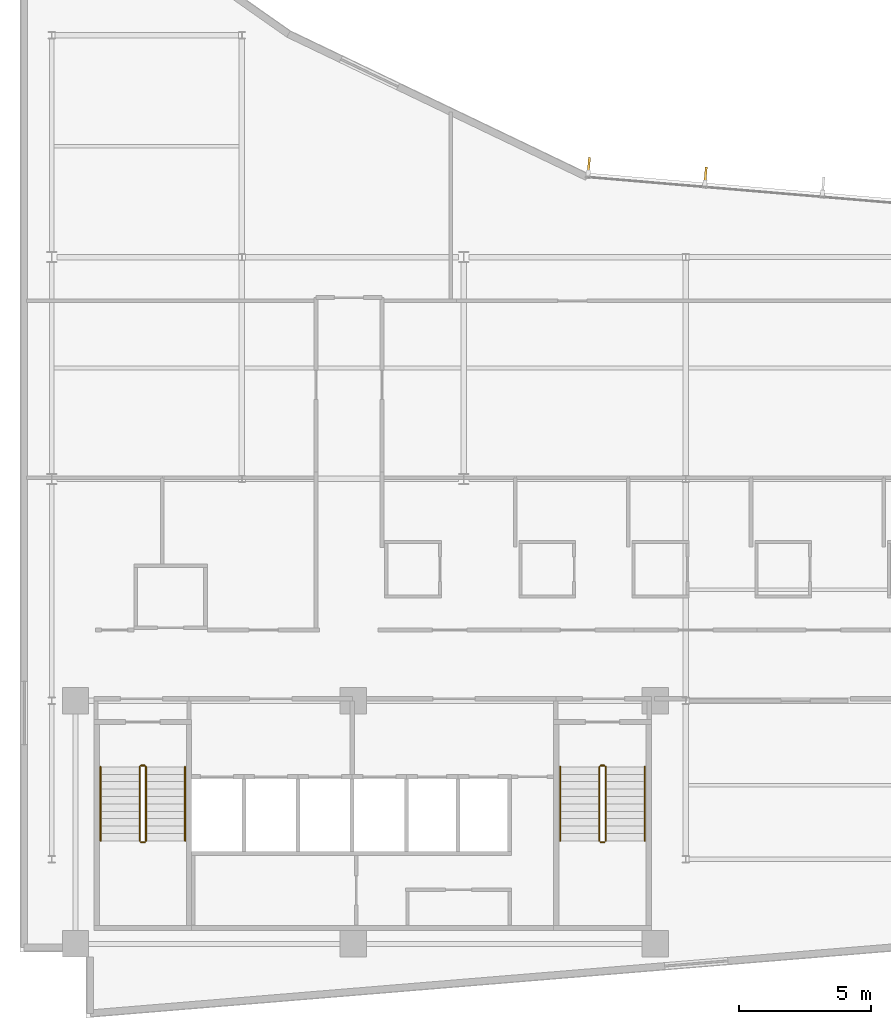
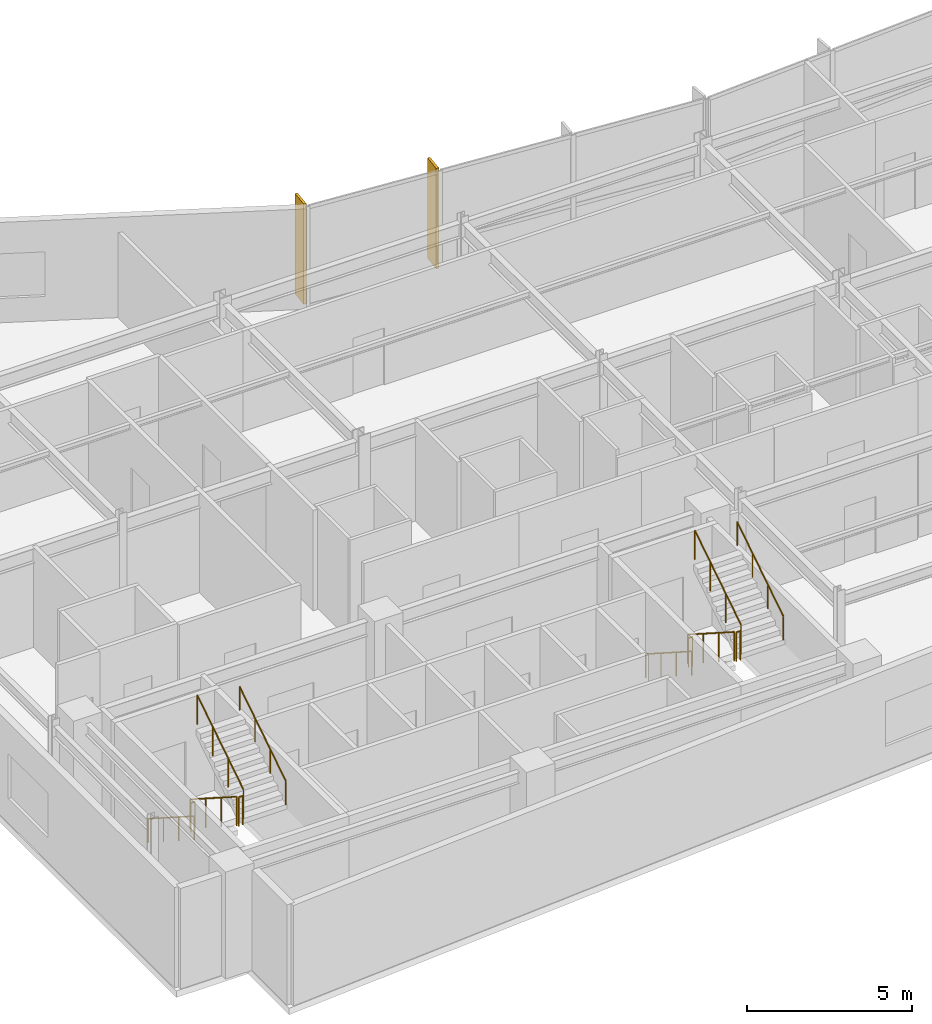
# One storey, part 13 of 15: 12 railings, 2 shading devices.
"""IFC4 building model written with IfcOpenShell, lengths in metres."""

import ifcopenshell
import ifcopenshell.guid

model = None  # the IFC model being written
_history = None  # IfcOwnerHistory: only IFC2X3 demands one
_inside = {}  # id of a spatial element -> (the spatial element, [elements in it])
_under = {}  # id of a project, library or spatial element -> (it, [spatial elements below it])
_declared = {}  # id of a project -> (the project, [libraries it declares])
_typed = {}  # id of a type object -> (the type object, [elements of that type])
_made_of = {}  # id of a material, layer set ... -> (it, [elements and type objects made of it])


def new_model(schema):
    """Start an empty IFC model of exactly this schema.

    Asked for "IFC4X3", IfcOpenShell would pick the latest addendum, in which some entities
    have other attributes; the version numbers below select the first issue.
    IFC2X3 requires an IfcOwnerHistory on every rooted entity: one is made here for all.
    """
    global model, _history
    if schema == "IFC4X3":
        model = ifcopenshell.file(schema_version=(4, 3, 0, 0))
    else:
        model = ifcopenshell.file(schema=schema)
    _inside.clear()
    _under.clear()
    _declared.clear()
    _typed.clear()
    _made_of.clear()
    _history = None
    if model.schema == "IFC2X3":
        org = make("IfcOrganization", Name="unknown")
        user = make(
            "IfcPersonAndOrganization",
            ThePerson=make("IfcPerson", FamilyName="unknown"),
            TheOrganization=org,
        )
        app = make(
            "IfcApplication",
            ApplicationDeveloper=org,
            Version="unknown",
            ApplicationFullName="unknown",
            ApplicationIdentifier="unknown",
        )
        _history = make(
            "IfcOwnerHistory",
            OwningUser=user,
            OwningApplication=app,
            ChangeAction="ADDED",
            CreationDate=0,
        )
    return model


def make(cls, **values):
    """One entity of the class cls with the attributes given. An attribute that is None is left unset."""
    return model.create_entity(
        cls, **{name: value for name, value in values.items() if value is not None}
    )


def rooted(cls, **values):
    """An entity with a GlobalId (a new one), such as an element, a storey or a relation."""
    return make(cls, GlobalId=ifcopenshell.guid.new(), OwnerHistory=_history, **values)


def si_unit(unit_type, name, prefix=None):
    """IfcSIUnit, for example si_unit("LENGTHUNIT", "METRE", prefix="MILLI")."""
    return make("IfcSIUnit", UnitType=unit_type, Prefix=prefix, Name=name)


def assignment(units):
    """IfcUnitAssignment: the units of a project."""
    return None if units is None else make("IfcUnitAssignment", Units=units)


def point(xyz):
    """IfcCartesianPoint."""
    return None if xyz is None else make("IfcCartesianPoint", Coordinates=xyz)


def direction(xyz):
    """IfcDirection."""
    return None if xyz is None else make("IfcDirection", DirectionRatios=xyz)


def frame(location, z_axis=None, x_axis=None):
    """IfcAxis2Placement3D, a coordinate frame: its origin and axes. An axis left out is left unset."""
    return make(
        "IfcAxis2Placement3D",
        Location=point(location),
        Axis=direction(z_axis),
        RefDirection=direction(x_axis),
    )


def frame_2d(location, x_axis=None):
    """IfcAxis2Placement2D, a coordinate frame in the plane: its origin and x axis."""
    return make(
        "IfcAxis2Placement2D", Location=point(location), RefDirection=direction(x_axis)
    )


def origin():
    """The frame at (0, 0, 0) with its axes left unset."""
    return frame((0.0, 0.0, 0.0))


def origin_2d():
    """The frame at (0, 0) in the plane with its x axis left unset."""
    return frame_2d((0.0, 0.0))


def place(relative_to, where):
    """IfcLocalPlacement: puts the frame where relative to a parent placement (None: the world)."""
    return make(
        "IfcLocalPlacement", PlacementRelTo=relative_to, RelativePlacement=where
    )


def context(
    kind, dimensions, precision=None, world=None, true_north=None, identifier=None
):
    """IfcGeometricRepresentationContext, for example the 3D "Model" context."""
    return make(
        "IfcGeometricRepresentationContext",
        ContextIdentifier=identifier,
        ContextType=kind,
        CoordinateSpaceDimension=dimensions,
        Precision=precision,
        WorldCoordinateSystem=world,
        TrueNorth=true_north,
    )


def subcontext(parent, identifier, kind, view, scale=None):
    """IfcGeometricRepresentationSubContext, for example "Body" below "Model"."""
    return make(
        "IfcGeometricRepresentationSubContext",
        ContextIdentifier=identifier,
        ContextType=kind,
        ParentContext=parent,
        TargetScale=scale,
        TargetView=view,
    )


def project(units=None, contexts=None):
    """IfcProject with its units and contexts."""
    return rooted(
        "IfcProject",
        Name="project",
        RepresentationContexts=contexts,
        UnitsInContext=assignment(units),
    )


def spatial(cls, under=None, at=None, **own):
    """A site, building, storey or space (cls), placed at a placement, below another one or the project."""
    s = rooted(cls, ObjectPlacement=at, **own)
    if under is not None:
        _under.setdefault(under.id(), (under, []))[1].append(s)
    return s


def profile(cls, at=None, kind="AREA", **sizes):
    """A parametric profile (cls). Its sizes go by their IFC names, for example OverallWidth=200.0."""
    return make(cls, ProfileType=kind, Position=at, **sizes)


def rectangle(**sizes):
    """IfcRectangleProfileDef."""
    return profile("IfcRectangleProfileDef", **sizes)


def circle(**sizes):
    """IfcCircleProfileDef."""
    return profile("IfcCircleProfileDef", **sizes)


def extrude(swept, where, along, depth):
    """IfcExtrudedAreaSolid: the profile swept, set in the frame where, extruded along a direction by depth."""
    return make(
        "IfcExtrudedAreaSolid",
        SweptArea=swept,
        Position=where,
        ExtrudedDirection=direction(along),
        Depth=depth,
    )


def shape(context_of_items, identifier, shape_type, items):
    """IfcShapeRepresentation: the items that make up one representation, for example the "Body"."""
    return make(
        "IfcShapeRepresentation",
        ContextOfItems=context_of_items,
        RepresentationIdentifier=identifier,
        RepresentationType=shape_type,
        Items=items,
    )


def material(Name=None, Category=None):
    """IfcMaterial."""
    return make("IfcMaterial", Name=Name, Category=Category)


def layer(
    of_material, thickness, ventilated=None, Name=None, Category=None, Priority=None
):
    """IfcMaterialLayer: one layer of a wall or slab, of a material (None: an air gap)."""
    return make(
        "IfcMaterialLayer",
        Material=of_material,
        LayerThickness=thickness,
        IsVentilated=ventilated,
        Name=Name,
        Category=Category,
        Priority=Priority,
    )


def layer_set(layers, Name=None):
    """IfcMaterialLayerSet."""
    return make("IfcMaterialLayerSet", MaterialLayers=layers, LayerSetName=Name)


def made_of(thing, what):
    """Note that an element or type object is made of a material, layer set ...; save() writes the relation."""
    if what is not None:
        _made_of.setdefault(what.id(), (what, []))[1].append(thing)
    return thing


def type_object(cls, material=None, **own):
    """A type object (cls), such as IfcWallType, which elements share."""
    return made_of(rooted(cls, **own), material)


def element(
    cls,
    number,
    at=None,
    inside=None,
    cuts=None,
    type_object=None,
    material=None,
    context=None,
    identifier="Body",
    shape_type=None,
    held_by="IfcProductDefinitionShape",
    body=None,
    shapes=None,
    **own,
):
    """One element of the class cls, such as IfcWall. Its Tag is "e" and its number.

    at: its placement. inside: the storey or other place that contains it. cuts: it is an
    opening in that element (IfcRelVoidsElement). A single representation is given by context,
    identifier, shape_type and body (its items); several are given by shapes. held_by: the class
    of the entity that holds the representations. save() writes the other relations.
    """
    e = rooted(cls, Tag="e%d" % number, ObjectPlacement=at, **own)
    if body is not None:
        shapes = [shape(context, identifier, shape_type, body)]
    if shapes is not None:
        e.Representation = make(held_by, Representations=shapes)
    if inside is not None:
        _inside.setdefault(inside.id(), (inside, []))[1].append(e)
    if cuts is not None:
        rooted(
            "IfcRelVoidsElement", RelatingBuildingElement=cuts, RelatedOpeningElement=e
        )
    if type_object is not None:
        _typed.setdefault(type_object.id(), (type_object, []))[1].append(e)
    return made_of(e, material)


def aggregate(whole, parts):
    """IfcRelAggregates: a whole, such as a stair, and the parts it consists of."""
    return rooted("IfcRelAggregates", RelatingObject=whole, RelatedObjects=parts)


def save(model, path):
    """Write the relations noted so far, then the file.

    IfcRelAggregates (storeys below a building ...), IfcRelContainedInSpatialStructure (elements
    in a storey), IfcRelDefinesByType, IfcRelAssociatesMaterial and IfcRelDeclares: one each for
    every whole, place, type object, material and project.
    """
    for whole, parts in _under.values():
        aggregate(whole, parts)
    for where, things in _inside.values():
        rooted(
            "IfcRelContainedInSpatialStructure",
            RelatedElements=things,
            RelatingStructure=where,
        )
    for kind, things in _typed.values():
        rooted("IfcRelDefinesByType", RelatedObjects=things, RelatingType=kind)
    for what, things in _made_of.values():
        rooted("IfcRelAssociatesMaterial", RelatedObjects=things, RelatingMaterial=what)
    for by, libraries in _declared.values():
        rooted("IfcRelDeclares", RelatingContext=by, RelatedDefinitions=libraries)
    model.write(path)


model = new_model("IFC4")

# Units and contexts
model_context = context("Model", 3, precision=1e-05, world=origin(), true_north=direction((0.0, 1.0)))
body_context = subcontext(model_context, "Body", "Model", "MODEL_VIEW")
ifc_project = project(units=[si_unit("LENGTHUNIT", "METRE"), si_unit("AREAUNIT", "SQUARE_METRE"), si_unit("VOLUMEUNIT", "CUBIC_METRE"), si_unit("PLANEANGLEUNIT", "RADIAN"), si_unit("MASSUNIT", "GRAM", prefix="KILO")], contexts=[model_context])

# Site, building, storey
site_placement = place(None, origin())
site = spatial("IfcSite", under=ifc_project, at=site_placement, CompositionType="ELEMENT")
building_placement = place(site_placement, origin())
building = spatial("IfcBuilding", under=site, at=building_placement, Name="Varnakote Quay Hospital", CompositionType="ELEMENT")
storey_placement = place(building_placement, frame((0.0, 0.0, 196.050048828125)))
storey = spatial("IfcBuildingStorey", under=building, at=storey_placement, Name="L48", CompositionType="ELEMENT", Elevation=196.050048828125)

# Railings
ifc_material_1 = material(Name="Brushed stainless steel balustrade", Category="steel")
railing_type_1 = type_object("IfcRailingType", Name="RLG-STAIR-GUARD-1150", PredefinedType="GUARDRAIL", material=ifc_material_1)
railing_1_placement = place(storey_placement, frame((4.530029296875, 9.5, 0.179443359375)))
element("IfcRailing", 1, at=railing_1_placement, inside=storey, type_object=railing_type_1, Name="L48 ST-01 stair guard 1", PredefinedType="GUARDRAIL", context=body_context, shape_type="SweptSolid", body=[
    extrude(circle(Radius=0.02392578125, at=origin_2d()), frame((0.0, 0.0, 1.076171875), z_axis=(0.0, -0.841809871826, 0.539774156196), x_axis=(1.0, 0.0, 0.0)), (0.0, 0.0, 1.0), 3.326171875),
    extrude(circle(Radius=0.02099609375, at=origin_2d()), origin(), (0.0, 0.0, 1.0), 1.052001953125),
    extrude(circle(Radius=0.02099609375, at=origin_2d()), frame((0.0, -0.933349609375, 0.598388671875)), (0.0, 0.0, 1.0), 1.052001953125),
    extrude(circle(Radius=0.02099609375, at=origin_2d()), frame((0.0, -1.86669921875, 1.197021484375)), (0.0, 0.0, 1.0), 1.052001953125),
    extrude(circle(Radius=0.02099609375, at=origin_2d()), frame((0.0, -2.800048828125, 1.79541015625)), (0.0, 0.0, 1.0), 1.052001953125),
])
railing_2_placement = place(storey_placement, frame((4.580078125, 6.64990234375, 1.974853515625)))
element("IfcRailing", 2, at=railing_2_placement, inside=storey, type_object=railing_type_1, Name="L48 ST-01 stair guard 2", PredefinedType="GUARDRAIL", context=body_context, shape_type="SweptSolid", body=[
    extrude(circle(Radius=0.02392578125, at=origin_2d()), frame((0.0, 0.0, 1.076171875), z_axis=(1.0, 0.0, 0.0), x_axis=(0.0, 1.0, 0.0)), (0.0, 0.0, 1.0), 0.139892578125),
    extrude(circle(Radius=0.02099609375, at=origin_2d()), origin(), (0.0, 0.0, 1.0), 1.052001953125),
    extrude(circle(Radius=0.02099609375, at=origin_2d()), frame((0.139892578125, 0.0, 0.0)), (0.0, 0.0, 1.0), 1.052001953125),
])
railing_3_placement = place(storey_placement, frame((4.77001953125, 6.699951171875, 2.154541015625)))
element("IfcRailing", 3, at=railing_3_placement, inside=storey, type_object=railing_type_1, Name="L48 ST-01 stair guard 3", PredefinedType="GUARDRAIL", context=body_context, shape_type="SweptSolid", body=[
    extrude(circle(Radius=0.02392578125, at=origin_2d()), frame((0.0, 0.0, 1.076171875), z_axis=(0.0, 0.841809871826, 0.539774156196), x_axis=(-1.0, 0.0, 0.0)), (0.0, 0.0, 1.0), 3.326171875),
    extrude(circle(Radius=0.02099609375, at=origin_2d()), origin(), (0.0, 0.0, 1.0), 1.052001953125),
    extrude(circle(Radius=0.02099609375, at=origin_2d()), frame((0.0, 0.933349609375, 0.598388671875)), (0.0, 0.0, 1.0), 1.052001953125),
    extrude(circle(Radius=0.02099609375, at=origin_2d()), frame((0.0, 1.86669921875, 1.197021484375)), (0.0, 0.0, 1.0), 1.052001953125),
    extrude(circle(Radius=0.02099609375, at=origin_2d()), frame((0.0, 2.800048828125, 1.79541015625)), (0.0, 0.0, 1.0), 1.052001953125),
])
railing_4_placement = place(storey_placement, frame((4.580078125, 9.550048828125, 0.0)))
element("IfcRailing", 4, at=railing_4_placement, inside=storey, type_object=railing_type_1, Name="L48 ST-01 stair guard 4", PredefinedType="GUARDRAIL", context=body_context, shape_type="SweptSolid", body=[
    extrude(circle(Radius=0.02392578125, at=origin_2d()), frame((0.0, 0.0, 1.076171875), z_axis=(1.0, 0.0, 0.0), x_axis=(0.0, 1.0, 0.0)), (0.0, 0.0, 1.0), 0.139892578125),
    extrude(circle(Radius=0.02099609375, at=origin_2d()), origin(), (0.0, 0.0, 1.0), 1.052001953125),
    extrude(circle(Radius=0.02099609375, at=origin_2d()), frame((0.139892578125, 0.0, 0.0)), (0.0, 0.0, 1.0), 1.052001953125),
])
railing_5_placement = place(storey_placement, frame((21.929931640625, 9.5, 0.179443359375)))
element("IfcRailing", 5, at=railing_5_placement, inside=storey, type_object=railing_type_1, Name="L48 ST-02 stair guard 1", PredefinedType="GUARDRAIL", context=body_context, shape_type="SweptSolid", body=[
    extrude(circle(Radius=0.02392578125, at=origin_2d()), frame((0.0, 0.0, 1.076171875), z_axis=(0.0, -0.841809871826, 0.539774156196), x_axis=(1.0, 0.0, 0.0)), (0.0, 0.0, 1.0), 3.326171875),
    extrude(circle(Radius=0.02099609375, at=origin_2d()), origin(), (0.0, 0.0, 1.0), 1.052001953125),
    extrude(circle(Radius=0.02099609375, at=origin_2d()), frame((0.0, -0.933349609375, 0.598388671875)), (0.0, 0.0, 1.0), 1.052001953125),
    extrude(circle(Radius=0.02099609375, at=origin_2d()), frame((0.0, -1.86669921875, 1.197021484375)), (0.0, 0.0, 1.0), 1.052001953125),
    extrude(circle(Radius=0.02099609375, at=origin_2d()), frame((0.0, -2.800048828125, 1.79541015625)), (0.0, 0.0, 1.0), 1.052001953125),
])
railing_6_placement = place(storey_placement, frame((21.97998046875, 6.64990234375, 1.974853515625)))
element("IfcRailing", 6, at=railing_6_placement, inside=storey, type_object=railing_type_1, Name="L48 ST-02 stair guard 2", PredefinedType="GUARDRAIL", context=body_context, shape_type="SweptSolid", body=[
    extrude(circle(Radius=0.02392578125, at=origin_2d()), frame((0.0, 0.0, 1.076171875), z_axis=(1.0, 0.0, 0.0), x_axis=(0.0, 1.0, 0.0)), (0.0, 0.0, 1.0), 0.14013671875),
    extrude(circle(Radius=0.02099609375, at=origin_2d()), origin(), (0.0, 0.0, 1.0), 1.052001953125),
    extrude(circle(Radius=0.02099609375, at=origin_2d()), frame((0.14013671875, 0.0, 0.0)), (0.0, 0.0, 1.0), 1.052001953125),
])
railing_7_placement = place(storey_placement, frame((22.169921875, 6.699951171875, 2.154541015625)))
element("IfcRailing", 7, at=railing_7_placement, inside=storey, type_object=railing_type_1, Name="L48 ST-02 stair guard 3", PredefinedType="GUARDRAIL", context=body_context, shape_type="SweptSolid", body=[
    extrude(circle(Radius=0.02392578125, at=origin_2d()), frame((0.0, 0.0, 1.076171875), z_axis=(0.0, 0.841809871826, 0.539774156196), x_axis=(-1.0, 0.0, 0.0)), (0.0, 0.0, 1.0), 3.326171875),
    extrude(circle(Radius=0.02099609375, at=origin_2d()), origin(), (0.0, 0.0, 1.0), 1.052001953125),
    extrude(circle(Radius=0.02099609375, at=origin_2d()), frame((0.0, 0.933349609375, 0.598388671875)), (0.0, 0.0, 1.0), 1.052001953125),
    extrude(circle(Radius=0.02099609375, at=origin_2d()), frame((0.0, 1.86669921875, 1.197021484375)), (0.0, 0.0, 1.0), 1.052001953125),
    extrude(circle(Radius=0.02099609375, at=origin_2d()), frame((0.0, 2.800048828125, 1.79541015625)), (0.0, 0.0, 1.0), 1.052001953125),
])
railing_8_placement = place(storey_placement, frame((21.97998046875, 9.550048828125, 0.0)))
element("IfcRailing", 8, at=railing_8_placement, inside=storey, type_object=railing_type_1, Name="L48 ST-02 stair guard 4", PredefinedType="GUARDRAIL", context=body_context, shape_type="SweptSolid", body=[
    extrude(circle(Radius=0.02392578125, at=origin_2d()), frame((0.0, 0.0, 1.076171875), z_axis=(1.0, 0.0, 0.0), x_axis=(0.0, 1.0, 0.0)), (0.0, 0.0, 1.0), 0.14013671875),
    extrude(circle(Radius=0.02099609375, at=origin_2d()), origin(), (0.0, 0.0, 1.0), 1.052001953125),
    extrude(circle(Radius=0.02099609375, at=origin_2d()), frame((0.14013671875, 0.0, 0.0)), (0.0, 0.0, 1.0), 1.052001953125),
])
ifc_material_2 = material(Name="Brushed stainless steel handrail", Category="steel")
railing_type_2 = type_object("IfcRailingType", Name="RLG-STAIR-HND-920", PredefinedType="HANDRAIL", material=ifc_material_2)
railing_9_placement = place(storey_placement, frame((3.050048828125, 9.5, 0.179443359375)))
element("IfcRailing", 9, at=railing_9_placement, inside=storey, type_object=railing_type_2, Name="L48 ST-01 stair handrail 1", PredefinedType="HANDRAIL", context=body_context, shape_type="SweptSolid", body=[
    extrude(circle(Radius=0.02392578125, at=origin_2d()), frame((0.0, 0.0, 0.8759765625), z_axis=(0.0, -0.841809871826, 0.539774156196), x_axis=(1.0, 0.0, 0.0)), (0.0, 0.0, 1.0), 3.326171875),
    extrude(circle(Radius=0.02099609375, at=origin_2d()), origin(), (0.0, 0.0, 1.0), 0.851806640625),
    extrude(circle(Radius=0.02099609375, at=origin_2d()), frame((0.0, -0.933349609375, 0.598388671875)), (0.0, 0.0, 1.0), 0.851806640625),
    extrude(circle(Radius=0.02099609375, at=origin_2d()), frame((0.0, -1.86669921875, 1.197021484375)), (0.0, 0.0, 1.0), 0.851806640625),
    extrude(circle(Radius=0.02099609375, at=origin_2d()), frame((0.0, -2.800048828125, 1.79541015625)), (0.0, 0.0, 1.0), 0.851806640625),
])
railing_10_placement = place(storey_placement, frame((6.25, 6.699951171875, 2.154541015625)))
element("IfcRailing", 10, at=railing_10_placement, inside=storey, type_object=railing_type_2, Name="L48 ST-01 stair handrail 2", PredefinedType="HANDRAIL", context=body_context, shape_type="SweptSolid", body=[
    extrude(circle(Radius=0.02392578125, at=origin_2d()), frame((0.0, 0.0, 0.8759765625), z_axis=(0.0, 0.841809871826, 0.539774156196), x_axis=(-1.0, 0.0, 0.0)), (0.0, 0.0, 1.0), 3.326171875),
    extrude(circle(Radius=0.02099609375, at=origin_2d()), origin(), (0.0, 0.0, 1.0), 0.851806640625),
    extrude(circle(Radius=0.02099609375, at=origin_2d()), frame((0.0, 0.933349609375, 0.598388671875)), (0.0, 0.0, 1.0), 0.851806640625),
    extrude(circle(Radius=0.02099609375, at=origin_2d()), frame((0.0, 1.86669921875, 1.197021484375)), (0.0, 0.0, 1.0), 0.851806640625),
    extrude(circle(Radius=0.02099609375, at=origin_2d()), frame((0.0, 2.800048828125, 1.79541015625)), (0.0, 0.0, 1.0), 0.851806640625),
])
railing_11_placement = place(storey_placement, frame((20.449951171875, 9.5, 0.179443359375)))
element("IfcRailing", 11, at=railing_11_placement, inside=storey, type_object=railing_type_2, Name="L48 ST-02 stair handrail 1", PredefinedType="HANDRAIL", context=body_context, shape_type="SweptSolid", body=[
    extrude(circle(Radius=0.02392578125, at=origin_2d()), frame((0.0, 0.0, 0.8759765625), z_axis=(0.0, -0.841809871826, 0.539774156196), x_axis=(1.0, 0.0, 0.0)), (0.0, 0.0, 1.0), 3.326171875),
    extrude(circle(Radius=0.02099609375, at=origin_2d()), origin(), (0.0, 0.0, 1.0), 0.851806640625),
    extrude(circle(Radius=0.02099609375, at=origin_2d()), frame((0.0, -0.933349609375, 0.598388671875)), (0.0, 0.0, 1.0), 0.851806640625),
    extrude(circle(Radius=0.02099609375, at=origin_2d()), frame((0.0, -1.86669921875, 1.197021484375)), (0.0, 0.0, 1.0), 0.851806640625),
    extrude(circle(Radius=0.02099609375, at=origin_2d()), frame((0.0, -2.800048828125, 1.79541015625)), (0.0, 0.0, 1.0), 0.851806640625),
])
railing_12_placement = place(storey_placement, frame((23.64990234375, 6.699951171875, 2.154541015625)))
element("IfcRailing", 12, at=railing_12_placement, inside=storey, type_object=railing_type_2, Name="L48 ST-02 stair handrail 2", PredefinedType="HANDRAIL", context=body_context, shape_type="SweptSolid", body=[
    extrude(circle(Radius=0.02392578125, at=origin_2d()), frame((0.0, 0.0, 0.8759765625), z_axis=(0.0, 0.841809871826, 0.539774156196), x_axis=(-1.0, 0.0, 0.0)), (0.0, 0.0, 1.0), 3.326171875),
    extrude(circle(Radius=0.02099609375, at=origin_2d()), origin(), (0.0, 0.0, 1.0), 0.851806640625),
    extrude(circle(Radius=0.02099609375, at=origin_2d()), frame((0.0, 0.933349609375, 0.598388671875)), (0.0, 0.0, 1.0), 0.851806640625),
    extrude(circle(Radius=0.02099609375, at=origin_2d()), frame((0.0, 1.86669921875, 1.197021484375)), (0.0, 0.0, 1.0), 0.851806640625),
    extrude(circle(Radius=0.02099609375, at=origin_2d()), frame((0.0, 2.800048828125, 1.79541015625)), (0.0, 0.0, 1.0), 0.851806640625),
])

# Shading devices
ifc_material_3 = material(Name="Anodised aluminium 6063-T6 Bronze", Category="aluminium")
ifc_layer = layer(ifc_material_3, 0.0849609375)
ifc_layer_set = layer_set([ifc_layer], Name="Anodised aluminium 6063-T6 Bronze")
shading_device_type = type_object("IfcShadingDeviceType", Name="SHD-BRONZE-FIN-620", PredefinedType="USERDEFINED", material=ifc_layer_set)
for number, where, z_axis, x_axis, name in (
    (13, (25.9501953125, 31.8955078125, 0.0), (0.0, 0.0, 1.0), (-0.084199594279, -0.996448909038, 0.0), "L48 Anodised Bronze Vertical Shading FIN"),
    (14, (21.531494140625, 32.268798828125, 0.0), (0.0, 0.0, 1.0), (-0.084199594279, -0.996448909038, 0.0), "L48 Anodised Bronze Vertical Shading FIN"),
):
    element("IfcShadingDevice", number, at=place(storey_placement, frame(where, z_axis=z_axis, x_axis=x_axis)), inside=storey, type_object=shading_device_type, Name=name, ObjectType="FIN", PredefinedType="USERDEFINED", context=body_context, shape_type="SweptSolid", body=[
        extrude(rectangle(XDim=0.6201171875, YDim=0.0849609375, at=origin_2d()), origin(), (0.0, 0.0, 1.0), 3.7099609375),
    ])

save(model, "model.ifc")
